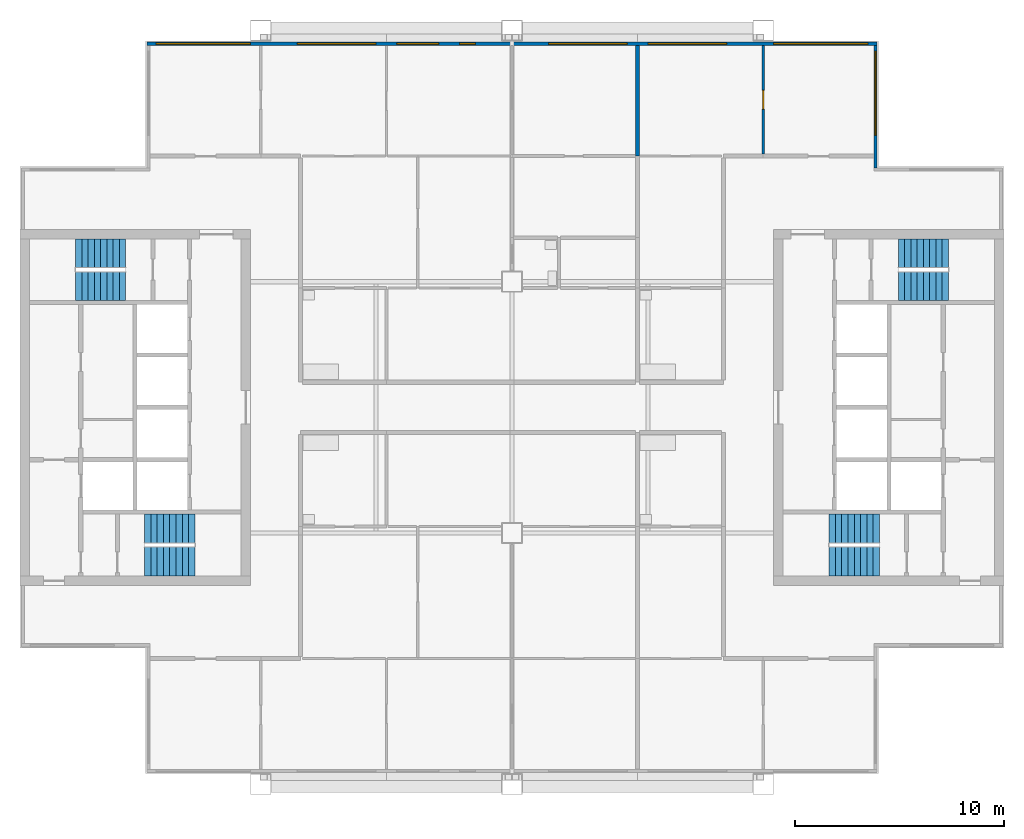
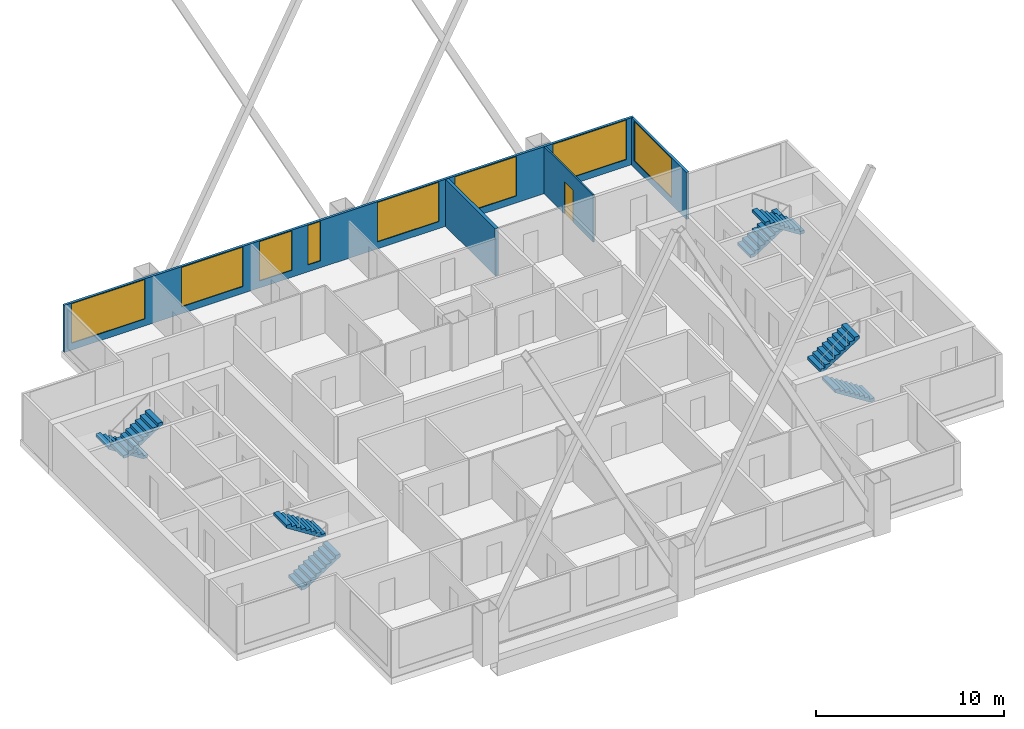
# One storey, part 6 of 8: 8 stair flights, 8 windows, 4 walls, 1 door, 9 openings, 4 elements without a shape of their own.
"""IFC4 building model written with IfcOpenShell, lengths in metres."""

from ifc_helpers import new_model, si_unit, direction, frame, frame_2d, origin, place, context, subcontext, project, spatial, polyline, rectangle, outline, extrude, material, layer, layer_set, type_object, element, fill, aggregate, save


model = new_model("IFC4")

# Units and contexts
model_context = context("Model", 3, precision=1e-05, world=origin(), true_north=direction((0.0, 1.0)))
body_context = subcontext(model_context, "Body", "Model", "MODEL_VIEW")
ifc_project = project(units=[si_unit("LENGTHUNIT", "METRE"), si_unit("AREAUNIT", "SQUARE_METRE"), si_unit("VOLUMEUNIT", "CUBIC_METRE"), si_unit("PLANEANGLEUNIT", "RADIAN"), si_unit("MASSUNIT", "GRAM", prefix="KILO")], contexts=[model_context])

# Site, building, storey
site_placement = place(None, origin())
site = spatial("IfcSite", under=ifc_project, at=site_placement, CompositionType="ELEMENT")
building_placement = place(site_placement, origin())
building = spatial("IfcBuilding", under=site, at=building_placement, Name="Kitamizu Gate Tower and Museum", CompositionType="ELEMENT")
storey_placement = place(building_placement, frame((0.0, 0.0, 259.35009765625)))
storey = spatial("IfcBuildingStorey", under=building, at=storey_placement, Name="L70", CompositionType="ELEMENT", Elevation=259.35009765625)

# Wall, opening, door
ifc_material_1 = material(Name="Gypsum board on galvanised stud")
ifc_layer_1 = layer(ifc_material_1, 0.10009765625)
ifc_layer_set_1 = layer_set([ifc_layer_1], Name="Gypsum board on galvanised stud")
wall_type_1 = type_object("IfcWallType", Name="Partition 100 NOT RATED", PredefinedType="PARTITIONING", material=ifc_layer_set_1)
wall_1_placement = place(storey_placement, frame((48.0, 42.10009765625, 0.0), z_axis=(0.0, 0.0, 1.0), x_axis=(0.0, 1.0, 0.0)))
wall_1 = element("IfcWall", 1, at=wall_1_placement, inside=storey, type_object=wall_type_1, Name="Partition L70-067", PredefinedType="PARTITIONING", context=body_context, shape_type="SweptSolid", body=[
    extrude(rectangle(XDim=5.179931640625, YDim=0.10009765625, at=frame_2d((2.58984375, 0.0))), origin(), (0.0, 0.0, 1.0), 3.0498046875),
])
opening_1_placement = place(wall_1_placement, frame((2.139892578125, 0.0, 0.0)))
opening_1 = element("IfcOpeningElement", 2, at=opening_1_placement, cuts=wall_1, Name="Opening L70-026", PredefinedType="OPENING", context=body_context, shape_type="SweptSolid", body=[
    extrude(rectangle(XDim=0.89990234375, YDim=2.10009765625, at=frame_2d((0.449951171875, 1.050048828125))), frame((0.0, 0.06005859375, 0.0), z_axis=(0.0, -1.0, 0.0), x_axis=(1.0, 0.0, 0.0)), (0.0, 0.0, 1.0), 0.1201171875),
])
ifc_material_2 = material(Name="Timber door set", Category="wood")
door_type = type_object("IfcDoorType", Name="Room door 900", OperationType="NOTDEFINED", PredefinedType="DOOR", material=ifc_material_2)
door_placement = place(opening_1_placement, origin())
door = element("IfcDoor", 3, at=door_placement, inside=storey, type_object=door_type, Name="Door L70-026", OperationType="SINGLE_SWING_LEFT", OverallHeight=2.10009765625, OverallWidth=0.89990234375, PredefinedType="DOOR", context=body_context, shape_type="SweptSolid", body=[
    extrude(rectangle(XDim=0.89990234375, YDim=2.10009765625, at=frame_2d((0.449951171875, 1.050048828125))), frame((0.0, 0.02490234375, 0.0), z_axis=(0.0, -1.0, 0.0), x_axis=(1.0, 0.0, 0.0)), (0.0, 0.0, 1.0), 0.050048828125),
])
fill(opening_1, door)

# Wall
ifc_material_3 = material(Name="Gypsum board on galvanised stud")
ifc_layer_2 = layer(ifc_material_3, 0.199951171875)
ifc_layer_set_2 = layer_set([ifc_layer_2], Name="Gypsum board on galvanised stud")
wall_type_2 = type_object("IfcWallType", Name="Partition 200", PredefinedType="PARTITIONING", material=ifc_layer_set_2)
wall_2_placement = place(storey_placement, frame((42.0, 42.0, 0.0), z_axis=(0.0, 0.0, 1.0), x_axis=(0.0, 1.0, 0.0)))
element("IfcWall", 4, at=wall_2_placement, inside=storey, type_object=wall_type_2, Name="Partition L70-035", PredefinedType="PARTITIONING", context=body_context, shape_type="SweptSolid", body=[
    extrude(rectangle(XDim=5.280029296875, YDim=0.199951171875, at=frame_2d((2.64013671875, 0.0))), origin(), (0.0, 0.0, 1.0), 3.0498046875),
])

# Wall, opening, window
ifc_material_4 = material(Name="Bronze anodised aluminium frame with insulated spandrel and tinted glass", Category="aluminium")
ifc_layer_3 = layer(ifc_material_4, 0.14990234375)
ifc_layer_set_3 = layer_set([ifc_layer_3], Name="Bronze anodised aluminium frame with insulated spandrel and tinted glass")
wall_type_3 = type_object("IfcWallType", Name="WINDOW WALL 150 BRONZE FRAME EI 30", PredefinedType="ELEMENTEDWALL", material=ifc_layer_set_3)
wall_3_placement = place(storey_placement, frame((53.364990234375, 41.43994140625, 0.0), z_axis=(0.0, 0.0, 1.0), x_axis=(0.0, 1.0, 0.0)))
wall_3 = element("IfcWall", 5, at=wall_3_placement, inside=storey, type_object=wall_type_3, Name="Window wall east L70", PredefinedType="ELEMENTEDWALL", context=body_context, shape_type="SweptSolid", body=[
    extrude(rectangle(XDim=5.85009765625, YDim=0.14990234375, at=frame_2d((2.925048828125, 0.0))), origin(), (0.0, 0.0, 1.0), 3.0498046875),
])
opening_2_placement = place(wall_3_placement, frame((1.56005859375, 0.0, 0.449951171875)))
opening_2 = element("IfcOpeningElement", 6, at=opening_2_placement, cuts=wall_3, Name="Opening W16", PredefinedType="OPENING", context=body_context, shape_type="SweptSolid", body=[
    extrude(rectangle(XDim=4.0, YDim=2.550048828125, at=frame_2d((2.0, 1.27490234375))), frame((0.0, 0.0849609375, 0.0), z_axis=(0.0, -1.0, 0.0), x_axis=(1.0, 0.0, 0.0)), (0.0, 0.0, 1.0), 0.169921875),
])
ifc_material_5 = material(Name="Bronze anodised aluminium frame, tinted triple glazing", Category="aluminium")
window_type_1 = type_object("IfcWindowType", Name="WINDOW 4000 x 2550 SILL 450", PartitioningType="SINGLE_PANEL", PredefinedType="WINDOW", material=ifc_material_5)
window_1_placement = place(opening_2_placement, origin())
window_1 = element("IfcWindow", 7, at=window_1_placement, inside=storey, type_object=window_type_1, Name="Window W16 L70", OverallHeight=2.550048828125, OverallWidth=4.0, PartitioningType="SINGLE_PANEL", PredefinedType="WINDOW", context=body_context, shape_type="SweptSolid", body=[
    extrude(rectangle(XDim=4.0, YDim=2.550048828125, at=frame_2d((2.0, 1.27490234375))), frame((0.0, 0.030029296875, 0.0), z_axis=(0.0, -1.0, 0.0), x_axis=(1.0, 0.0, 0.0)), (0.0, 0.0, 1.0), 0.06005859375),
])
fill(opening_2, window_1)

# Wall, openings, windows
wall_4_placement = place(storey_placement, frame((18.56005859375, 47.364990234375, 0.0), z_axis=(0.0, 0.0, 1.0), x_axis=(1.0, 0.0, 0.0)))
wall_4 = element("IfcWall", 8, at=wall_4_placement, inside=storey, type_object=wall_type_3, Name="Window wall north L70", PredefinedType="ELEMENTEDWALL", context=body_context, shape_type="SweptSolid", body=[
    extrude(rectangle(XDim=34.8798828125, YDim=0.14990234375, at=frame_2d((17.43994140625, 0.0))), origin(), (0.0, 0.0, 1.0), 3.0498046875),
])
opening_3_placement = place(wall_4_placement, frame((0.43994140625, 0.0, 0.449951171875)))
opening_3 = element("IfcOpeningElement", 9, at=opening_3_placement, cuts=wall_4, Name="Opening W15", PredefinedType="OPENING", context=body_context, shape_type="SweptSolid", body=[
    extrude(rectangle(XDim=4.5, YDim=2.550048828125, at=frame_2d((2.25, 1.27490234375))), frame((0.0, 0.0849609375, 0.0), z_axis=(0.0, -1.0, 0.0), x_axis=(1.0, 0.0, 0.0)), (0.0, 0.0, 1.0), 0.169921875),
])
opening_4_placement = place(wall_4_placement, frame((7.18994140625, 0.0, 0.449951171875)))
opening_4 = element("IfcOpeningElement", 10, at=opening_4_placement, cuts=wall_4, Name="Opening W36", PredefinedType="OPENING", context=body_context, shape_type="SweptSolid", body=[
    extrude(rectangle(XDim=3.75, YDim=2.550048828125, at=frame_2d((1.875, 1.27490234375))), frame((0.0, 0.0849609375, 0.0), z_axis=(0.0, -1.0, 0.0), x_axis=(1.0, 0.0, 0.0)), (0.0, 0.0, 1.0), 0.169921875),
])
opening_5_placement = place(wall_4_placement, frame((11.93994140625, 0.0, 0.449951171875)))
opening_5 = element("IfcOpeningElement", 11, at=opening_5_placement, cuts=wall_4, Name="Opening W2", PredefinedType="OPENING", context=body_context, shape_type="SweptSolid", body=[
    extrude(rectangle(XDim=2.0, YDim=2.550048828125, at=frame_2d((1.0, 1.27490234375))), frame((0.0, 0.0849609375, 0.0), z_axis=(0.0, -1.0, 0.0), x_axis=(1.0, 0.0, 0.0)), (0.0, 0.0, 1.0), 0.169921875),
])
opening_6_placement = place(wall_4_placement, frame((14.93994140625, 0.0, 0.449951171875)))
opening_6 = element("IfcOpeningElement", 12, at=opening_6_placement, cuts=wall_4, Name="Opening W25", PredefinedType="OPENING", context=body_context, shape_type="SweptSolid", body=[
    extrude(rectangle(XDim=0.75, YDim=2.550048828125, at=frame_2d((0.375, 1.27490234375))), frame((0.0, 0.0849609375, 0.0), z_axis=(0.0, -1.0, 0.0), x_axis=(1.0, 0.0, 0.0)), (0.0, 0.0, 1.0), 0.169921875),
])
opening_7_placement = place(wall_4_placement, frame((19.18994140625, 0.0, 0.449951171875)))
opening_7 = element("IfcOpeningElement", 13, at=opening_7_placement, cuts=wall_4, Name="Opening W36", PredefinedType="OPENING", context=body_context, shape_type="SweptSolid", body=[
    extrude(rectangle(XDim=3.75, YDim=2.550048828125, at=frame_2d((1.875, 1.27490234375))), frame((0.0, 0.0849609375, 0.0), z_axis=(0.0, -1.0, 0.0), x_axis=(1.0, 0.0, 0.0)), (0.0, 0.0, 1.0), 0.169921875),
])
opening_8_placement = place(wall_4_placement, frame((23.93994140625, 0.0, 0.449951171875)))
opening_8 = element("IfcOpeningElement", 14, at=opening_8_placement, cuts=wall_4, Name="Opening W36", PredefinedType="OPENING", context=body_context, shape_type="SweptSolid", body=[
    extrude(rectangle(XDim=3.75, YDim=2.550048828125, at=frame_2d((1.875, 1.27490234375))), frame((0.0, 0.0849609375, 0.0), z_axis=(0.0, -1.0, 0.0), x_axis=(1.0, 0.0, 0.0)), (0.0, 0.0, 1.0), 0.169921875),
])
opening_9_placement = place(wall_4_placement, frame((29.93994140625, 0.0, 0.449951171875)))
opening_9 = element("IfcOpeningElement", 15, at=opening_9_placement, cuts=wall_4, Name="Opening W15", PredefinedType="OPENING", context=body_context, shape_type="SweptSolid", body=[
    extrude(rectangle(XDim=4.5, YDim=2.550048828125, at=frame_2d((2.25, 1.27490234375))), frame((0.0, 0.0849609375, 0.0), z_axis=(0.0, -1.0, 0.0), x_axis=(1.0, 0.0, 0.0)), (0.0, 0.0, 1.0), 0.169921875),
])
ifc_material_6 = material(Name="Bronze anodised aluminium frame, tinted triple glazing", Category="aluminium")
window_type_2 = type_object("IfcWindowType", Name="WINDOW 2000 x 2550 SILL 450", PartitioningType="SINGLE_PANEL", PredefinedType="WINDOW", material=ifc_material_6)
window_2_placement = place(opening_5_placement, origin())
window_2 = element("IfcWindow", 16, at=window_2_placement, inside=storey, type_object=window_type_2, Name="Window W2 L70", OverallHeight=2.550048828125, OverallWidth=2.0, PartitioningType="SINGLE_PANEL", PredefinedType="WINDOW", context=body_context, shape_type="SweptSolid", body=[
    extrude(rectangle(XDim=2.0, YDim=2.550048828125, at=frame_2d((1.0, 1.27490234375))), frame((0.0, 0.030029296875, 0.0), z_axis=(0.0, -1.0, 0.0), x_axis=(1.0, 0.0, 0.0)), (0.0, 0.0, 1.0), 0.06005859375),
])
fill(opening_5, window_2)
ifc_material_7 = material(Name="Bronze anodised aluminium frame, tinted triple glazing", Category="aluminium")
window_type_3 = type_object("IfcWindowType", Name="WINDOW 3750 x 2550 SILL 450", PartitioningType="SINGLE_PANEL", PredefinedType="WINDOW", material=ifc_material_7)
window_3_placement = place(opening_4_placement, origin())
window_3 = element("IfcWindow", 17, at=window_3_placement, inside=storey, type_object=window_type_3, Name="Window W36 L70", OverallHeight=2.550048828125, OverallWidth=3.75, PartitioningType="SINGLE_PANEL", PredefinedType="WINDOW", context=body_context, shape_type="SweptSolid", body=[
    extrude(rectangle(XDim=3.75, YDim=2.550048828125, at=frame_2d((1.875, 1.27490234375))), frame((0.0, 0.030029296875, 0.0), z_axis=(0.0, -1.0, 0.0), x_axis=(1.0, 0.0, 0.0)), (0.0, 0.0, 1.0), 0.06005859375),
])
fill(opening_4, window_3)
window_4_placement = place(opening_7_placement, origin())
window_4 = element("IfcWindow", 18, at=window_4_placement, inside=storey, type_object=window_type_3, Name="Window W36 L70", OverallHeight=2.550048828125, OverallWidth=3.75, PartitioningType="SINGLE_PANEL", PredefinedType="WINDOW", context=body_context, shape_type="SweptSolid", body=[
    extrude(rectangle(XDim=3.75, YDim=2.550048828125, at=frame_2d((1.875, 1.27490234375))), frame((0.0, 0.030029296875, 0.0), z_axis=(0.0, -1.0, 0.0), x_axis=(1.0, 0.0, 0.0)), (0.0, 0.0, 1.0), 0.06005859375),
])
fill(opening_7, window_4)
window_5_placement = place(opening_8_placement, origin())
window_5 = element("IfcWindow", 19, at=window_5_placement, inside=storey, type_object=window_type_3, Name="Window W36 L70", OverallHeight=2.550048828125, OverallWidth=3.75, PartitioningType="SINGLE_PANEL", PredefinedType="WINDOW", context=body_context, shape_type="SweptSolid", body=[
    extrude(rectangle(XDim=3.75, YDim=2.550048828125, at=frame_2d((1.875, 1.27490234375))), frame((0.0, 0.030029296875, 0.0), z_axis=(0.0, -1.0, 0.0), x_axis=(1.0, 0.0, 0.0)), (0.0, 0.0, 1.0), 0.06005859375),
])
fill(opening_8, window_5)
ifc_material_8 = material(Name="Bronze anodised aluminium frame, tinted triple glazing", Category="aluminium")
window_type_4 = type_object("IfcWindowType", Name="WINDOW 4500 x 2550 SILL 450", PartitioningType="SINGLE_PANEL", PredefinedType="WINDOW", material=ifc_material_8)
window_6_placement = place(opening_3_placement, origin())
window_6 = element("IfcWindow", 20, at=window_6_placement, inside=storey, type_object=window_type_4, Name="Window W15 L70", OverallHeight=2.550048828125, OverallWidth=4.5, PartitioningType="SINGLE_PANEL", PredefinedType="WINDOW", context=body_context, shape_type="SweptSolid", body=[
    extrude(rectangle(XDim=4.5, YDim=2.550048828125, at=frame_2d((2.25, 1.27490234375))), frame((0.0, 0.030029296875, 0.0), z_axis=(0.0, -1.0, 0.0), x_axis=(1.0, 0.0, 0.0)), (0.0, 0.0, 1.0), 0.06005859375),
])
fill(opening_3, window_6)
window_7_placement = place(opening_9_placement, origin())
window_7 = element("IfcWindow", 21, at=window_7_placement, inside=storey, type_object=window_type_4, Name="Window W15 L70", OverallHeight=2.550048828125, OverallWidth=4.5, PartitioningType="SINGLE_PANEL", PredefinedType="WINDOW", context=body_context, shape_type="SweptSolid", body=[
    extrude(rectangle(XDim=4.5, YDim=2.550048828125, at=frame_2d((2.25, 1.27490234375))), frame((0.0, 0.030029296875, 0.0), z_axis=(0.0, -1.0, 0.0), x_axis=(1.0, 0.0, 0.0)), (0.0, 0.0, 1.0), 0.06005859375),
])
fill(opening_9, window_7)
ifc_material_9 = material(Name="Bronze anodised aluminium frame, tinted triple glazing", Category="aluminium")
window_type_5 = type_object("IfcWindowType", Name="WINDOW 750 x 2550 SILL 450", PartitioningType="SINGLE_PANEL", PredefinedType="WINDOW", material=ifc_material_9)
window_8_placement = place(opening_6_placement, origin())
window_8 = element("IfcWindow", 22, at=window_8_placement, inside=storey, type_object=window_type_5, Name="Window W25 L70", OverallHeight=2.550048828125, OverallWidth=0.75, PartitioningType="SINGLE_PANEL", PredefinedType="WINDOW", context=body_context, shape_type="SweptSolid", body=[
    extrude(rectangle(XDim=0.75, YDim=2.550048828125, at=frame_2d((0.375, 1.27490234375))), frame((0.0, 0.030029296875, 0.0), z_axis=(0.0, -1.0, 0.0), x_axis=(1.0, 0.0, 0.0)), (0.0, 0.0, 1.0), 0.06005859375),
])
fill(opening_6, window_8)

# Stair, stair flights
ifc_material_10 = material(Name="Concrete Fc42", Category="concrete")
stair_type = type_object("IfcStairType", Name="Exit stair 1375 wide 192 rise 300 going", PredefinedType="HALF_TURN_STAIR", material=ifc_material_10)
stair_1_placement = place(storey_placement, origin())
stair_1 = element("IfcStair", 23, at=stair_1_placement, inside=storey, type_object=stair_type, Name="Exit stair ST1", PredefinedType="HALF_TURN_STAIR")
ifc_material_11 = material(Name="Concrete Fc42", Category="concrete")
stair_flight_type = type_object("IfcStairFlightType", Name="Stair flight 1375 wide 192 rise 300 going", PredefinedType="STRAIGHT", material=ifc_material_11)
stair_flight_1_placement = place(storey_placement, frame((18.449951171875, 22.637451171875, 0.0), z_axis=(0.0, 0.0, 1.0), x_axis=(1.0, 0.0, 0.0)))
stair_flight_1 = element("IfcStairFlight", 24, at=stair_flight_1_placement, type_object=stair_flight_type, Name="ST1 flight 1", NumberOfRisers=9, NumberOfTreads=8, PredefinedType="STRAIGHT", RiserHeight=0.191666667, TreadLength=0.3, context=body_context, shape_type="SweptSolid", body=[
    extrude(outline(polyline([(0.0, 0.0), (0.0, 0.191650390625), (0.300048828125, 0.191650390625), (0.300048828125, 0.38330078125), (0.60009765625, 0.38330078125), (0.60009765625, 0.574951171875), (0.89990234375, 0.574951171875), (0.89990234375, 0.7666015625), (1.199951171875, 0.7666015625), (1.199951171875, 0.958251953125), (1.5, 0.958251953125), (1.5, 1.14990234375), (1.800048828125, 1.14990234375), (1.800048828125, 1.341552734375), (2.10009765625, 1.341552734375), (2.10009765625, 1.533447265625), (2.39990234375, 1.533447265625), (2.39990234375, 1.72509765625), (2.39990234375, 1.35546875), (0.2783203125, 0.0), (0.0, 0.0)])), frame((0.0, 0.6875, 0.0), z_axis=(0.0, -1.0, 0.0), x_axis=(1.0, 0.0, 0.0)), (0.0, 0.0, 1.0), 1.375),
])
stair_flight_2_placement = place(storey_placement, frame((20.85009765625, 24.21240234375, 1.724853515625), z_axis=(0.0, 0.0, 1.0), x_axis=(-1.0, 0.0, 0.0)))
stair_flight_2 = element("IfcStairFlight", 25, at=stair_flight_2_placement, type_object=stair_flight_type, Name="ST1 flight 2", NumberOfRisers=9, NumberOfTreads=8, PredefinedType="STRAIGHT", RiserHeight=0.191666667, TreadLength=0.3, context=body_context, shape_type="SweptSolid", body=[
    extrude(outline(polyline([(0.0, 0.0), (0.0, 0.191650390625), (0.300048828125, 0.191650390625), (0.300048828125, 0.38330078125), (0.60009765625, 0.38330078125), (0.60009765625, 0.574951171875), (0.89990234375, 0.574951171875), (0.89990234375, 0.7666015625), (1.199951171875, 0.7666015625), (1.199951171875, 0.958251953125), (1.5, 0.958251953125), (1.5, 1.14990234375), (1.800048828125, 1.14990234375), (1.800048828125, 1.341552734375), (2.10009765625, 1.341552734375), (2.10009765625, 1.533447265625), (2.39990234375, 1.533447265625), (2.39990234375, 1.72509765625), (2.39990234375, 1.35546875), (0.2783203125, 0.0), (0.0, 0.0)])), frame((0.0, 0.6875, 0.0), z_axis=(0.0, -1.0, 0.0), x_axis=(1.0, 0.0, 0.0)), (0.0, 0.0, 1.0), 1.375),
])
aggregate(stair_1, [stair_flight_1, stair_flight_2])

stair_2_placement = place(storey_placement, origin())
stair_2 = element("IfcStair", 26, at=stair_2_placement, inside=storey, type_object=stair_type, Name="Exit stair ST2", PredefinedType="HALF_TURN_STAIR")
stair_flight_3_placement = place(storey_placement, frame((17.550048828125, 37.362548828125, 0.0), z_axis=(0.0, 0.0, 1.0), x_axis=(-1.0, 0.0, 0.0)))
stair_flight_3 = element("IfcStairFlight", 27, at=stair_flight_3_placement, type_object=stair_flight_type, Name="ST2 flight 1", NumberOfRisers=9, NumberOfTreads=8, PredefinedType="STRAIGHT", RiserHeight=0.191666667, TreadLength=0.3, context=body_context, shape_type="SweptSolid", body=[
    extrude(outline(polyline([(0.0, 0.0), (0.0, 0.191650390625), (0.300048828125, 0.191650390625), (0.300048828125, 0.38330078125), (0.60009765625, 0.38330078125), (0.60009765625, 0.574951171875), (0.89990234375, 0.574951171875), (0.89990234375, 0.7666015625), (1.199951171875, 0.7666015625), (1.199951171875, 0.958251953125), (1.5, 0.958251953125), (1.5, 1.14990234375), (1.800048828125, 1.14990234375), (1.800048828125, 1.341552734375), (2.10009765625, 1.341552734375), (2.10009765625, 1.533447265625), (2.39990234375, 1.533447265625), (2.39990234375, 1.72509765625), (2.39990234375, 1.35546875), (0.2783203125, 0.0), (0.0, 0.0)])), frame((0.0, 0.6875, 0.0), z_axis=(0.0, -1.0, 0.0), x_axis=(1.0, 0.0, 0.0)), (0.0, 0.0, 1.0), 1.375),
])
stair_flight_4_placement = place(storey_placement, frame((15.14990234375, 35.78759765625, 1.724853515625), z_axis=(0.0, 0.0, 1.0), x_axis=(1.0, 0.0, 0.0)))
stair_flight_4 = element("IfcStairFlight", 28, at=stair_flight_4_placement, type_object=stair_flight_type, Name="ST2 flight 2", NumberOfRisers=9, NumberOfTreads=8, PredefinedType="STRAIGHT", RiserHeight=0.191666667, TreadLength=0.3, context=body_context, shape_type="SweptSolid", body=[
    extrude(outline(polyline([(0.0, 0.0), (0.0, 0.191650390625), (0.300048828125, 0.191650390625), (0.300048828125, 0.38330078125), (0.60009765625, 0.38330078125), (0.60009765625, 0.574951171875), (0.89990234375, 0.574951171875), (0.89990234375, 0.7666015625), (1.199951171875, 0.7666015625), (1.199951171875, 0.958251953125), (1.5, 0.958251953125), (1.5, 1.14990234375), (1.800048828125, 1.14990234375), (1.800048828125, 1.341552734375), (2.10009765625, 1.341552734375), (2.10009765625, 1.533447265625), (2.39990234375, 1.533447265625), (2.39990234375, 1.72509765625), (2.39990234375, 1.35546875), (0.2783203125, 0.0), (0.0, 0.0)])), frame((0.0, 0.6875, 0.0), z_axis=(0.0, -1.0, 0.0), x_axis=(1.0, 0.0, 0.0)), (0.0, 0.0, 1.0), 1.375),
])
aggregate(stair_2, [stair_flight_3, stair_flight_4])

stair_3_placement = place(storey_placement, origin())
stair_3 = element("IfcStair", 29, at=stair_3_placement, inside=storey, type_object=stair_type, Name="Exit stair ST3", PredefinedType="HALF_TURN_STAIR")
stair_flight_5_placement = place(storey_placement, frame((53.550048828125, 22.637451171875, 0.0), z_axis=(0.0, 0.0, 1.0), x_axis=(-1.0, 0.0, 0.0)))
stair_flight_5 = element("IfcStairFlight", 30, at=stair_flight_5_placement, type_object=stair_flight_type, Name="ST3 flight 1", NumberOfRisers=9, NumberOfTreads=8, PredefinedType="STRAIGHT", RiserHeight=0.191666667, TreadLength=0.3, context=body_context, shape_type="SweptSolid", body=[
    extrude(outline(polyline([(0.0, 0.0), (0.0, 0.191650390625), (0.300048828125, 0.191650390625), (0.300048828125, 0.38330078125), (0.60009765625, 0.38330078125), (0.60009765625, 0.574951171875), (0.89990234375, 0.574951171875), (0.89990234375, 0.7666015625), (1.199951171875, 0.7666015625), (1.199951171875, 0.958251953125), (1.5, 0.958251953125), (1.5, 1.14990234375), (1.800048828125, 1.14990234375), (1.800048828125, 1.341552734375), (2.10009765625, 1.341552734375), (2.10009765625, 1.533447265625), (2.39990234375, 1.533447265625), (2.39990234375, 1.72509765625), (2.39990234375, 1.35546875), (0.2783203125, 0.0), (0.0, 0.0)])), frame((0.0, 0.6875, 0.0), z_axis=(0.0, -1.0, 0.0), x_axis=(1.0, 0.0, 0.0)), (0.0, 0.0, 1.0), 1.375),
])
stair_flight_6_placement = place(storey_placement, frame((51.14990234375, 24.21240234375, 1.724853515625), z_axis=(0.0, 0.0, 1.0), x_axis=(1.0, 0.0, 0.0)))
stair_flight_6 = element("IfcStairFlight", 31, at=stair_flight_6_placement, type_object=stair_flight_type, Name="ST3 flight 2", NumberOfRisers=9, NumberOfTreads=8, PredefinedType="STRAIGHT", RiserHeight=0.191666667, TreadLength=0.3, context=body_context, shape_type="SweptSolid", body=[
    extrude(outline(polyline([(0.0, 0.0), (0.0, 0.191650390625), (0.300048828125, 0.191650390625), (0.300048828125, 0.38330078125), (0.60009765625, 0.38330078125), (0.60009765625, 0.574951171875), (0.89990234375, 0.574951171875), (0.89990234375, 0.7666015625), (1.199951171875, 0.7666015625), (1.199951171875, 0.958251953125), (1.5, 0.958251953125), (1.5, 1.14990234375), (1.800048828125, 1.14990234375), (1.800048828125, 1.341552734375), (2.10009765625, 1.341552734375), (2.10009765625, 1.533447265625), (2.39990234375, 1.533447265625), (2.39990234375, 1.72509765625), (2.39990234375, 1.35546875), (0.2783203125, 0.0), (0.0, 0.0)])), frame((0.0, 0.6875, 0.0), z_axis=(0.0, -1.0, 0.0), x_axis=(1.0, 0.0, 0.0)), (0.0, 0.0, 1.0), 1.375),
])
aggregate(stair_3, [stair_flight_5, stair_flight_6])

stair_4_placement = place(storey_placement, origin())
stair_4 = element("IfcStair", 32, at=stair_4_placement, inside=storey, type_object=stair_type, Name="Exit stair ST4", PredefinedType="HALF_TURN_STAIR")
stair_flight_7_placement = place(storey_placement, frame((54.449951171875, 37.362548828125, 0.0), z_axis=(0.0, 0.0, 1.0), x_axis=(1.0, 0.0, 0.0)))
stair_flight_7 = element("IfcStairFlight", 33, at=stair_flight_7_placement, type_object=stair_flight_type, Name="ST4 flight 1", NumberOfRisers=9, NumberOfTreads=8, PredefinedType="STRAIGHT", RiserHeight=0.191666667, TreadLength=0.3, context=body_context, shape_type="SweptSolid", body=[
    extrude(outline(polyline([(0.0, 0.0), (0.0, 0.191650390625), (0.300048828125, 0.191650390625), (0.300048828125, 0.38330078125), (0.60009765625, 0.38330078125), (0.60009765625, 0.574951171875), (0.89990234375, 0.574951171875), (0.89990234375, 0.7666015625), (1.199951171875, 0.7666015625), (1.199951171875, 0.958251953125), (1.5, 0.958251953125), (1.5, 1.14990234375), (1.800048828125, 1.14990234375), (1.800048828125, 1.341552734375), (2.10009765625, 1.341552734375), (2.10009765625, 1.533447265625), (2.39990234375, 1.533447265625), (2.39990234375, 1.72509765625), (2.39990234375, 1.35546875), (0.2783203125, 0.0), (0.0, 0.0)])), frame((0.0, 0.6875, 0.0), z_axis=(0.0, -1.0, 0.0), x_axis=(1.0, 0.0, 0.0)), (0.0, 0.0, 1.0), 1.375),
])
stair_flight_8_placement = place(storey_placement, frame((56.85009765625, 35.78759765625, 1.724853515625), z_axis=(0.0, 0.0, 1.0), x_axis=(-1.0, 0.0, 0.0)))
stair_flight_8 = element("IfcStairFlight", 34, at=stair_flight_8_placement, type_object=stair_flight_type, Name="ST4 flight 2", NumberOfRisers=9, NumberOfTreads=8, PredefinedType="STRAIGHT", RiserHeight=0.191666667, TreadLength=0.3, context=body_context, shape_type="SweptSolid", body=[
    extrude(outline(polyline([(0.0, 0.0), (0.0, 0.191650390625), (0.300048828125, 0.191650390625), (0.300048828125, 0.38330078125), (0.60009765625, 0.38330078125), (0.60009765625, 0.574951171875), (0.89990234375, 0.574951171875), (0.89990234375, 0.7666015625), (1.199951171875, 0.7666015625), (1.199951171875, 0.958251953125), (1.5, 0.958251953125), (1.5, 1.14990234375), (1.800048828125, 1.14990234375), (1.800048828125, 1.341552734375), (2.10009765625, 1.341552734375), (2.10009765625, 1.533447265625), (2.39990234375, 1.533447265625), (2.39990234375, 1.72509765625), (2.39990234375, 1.35546875), (0.2783203125, 0.0), (0.0, 0.0)])), frame((0.0, 0.6875, 0.0), z_axis=(0.0, -1.0, 0.0), x_axis=(1.0, 0.0, 0.0)), (0.0, 0.0, 1.0), 1.375),
])
aggregate(stair_4, [stair_flight_7, stair_flight_8])

save(model, "model.ifc")
